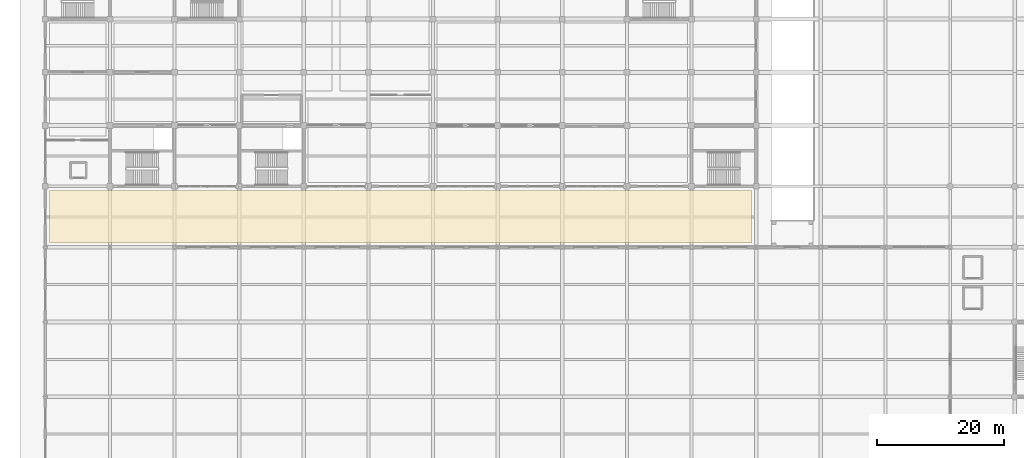
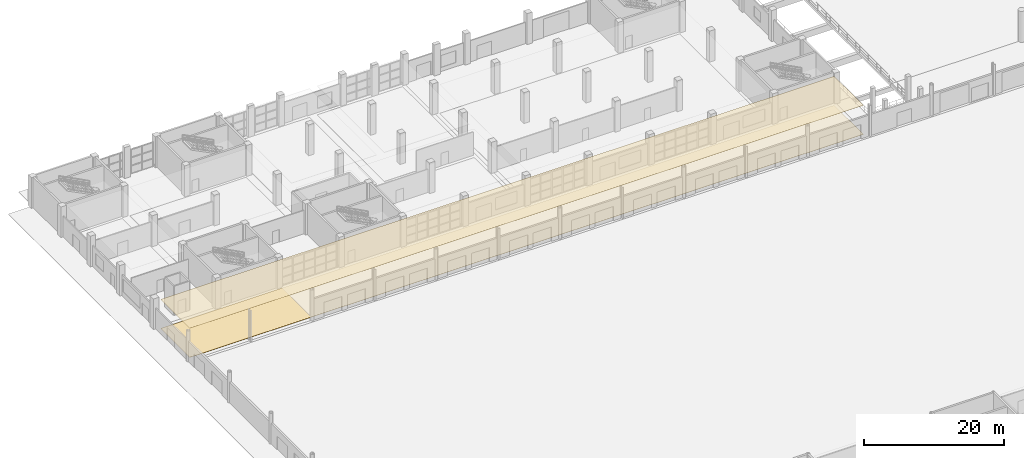
# One storey, part 113 of 124: 2 coverings.
"""IFC4 building model written with IfcOpenShell, lengths in metres."""

from ifc_helpers import new_model, si_unit, direction, frame, origin, place, context, subcontext, project, spatial, polyline, outline, extrude, material, layer, layer_set, type_object, element, save


model = new_model("IFC4")

# Units and contexts
model_context = context("Model", 3, precision=1e-05, world=origin(), true_north=direction((0.0, 1.0)))
body_context = subcontext(model_context, "Body", "Model", "MODEL_VIEW")
ifc_project = project(units=[si_unit("LENGTHUNIT", "METRE"), si_unit("AREAUNIT", "SQUARE_METRE"), si_unit("VOLUMEUNIT", "CUBIC_METRE"), si_unit("PLANEANGLEUNIT", "RADIAN"), si_unit("MASSUNIT", "GRAM", prefix="KILO")], contexts=[model_context])

# Site, building, storey
site_placement = place(None, origin())
site = spatial("IfcSite", under=ifc_project, at=site_placement, CompositionType="ELEMENT")
building_placement = place(site_placement, origin())
building = spatial("IfcBuilding", under=site, at=building_placement, Name="Brelvane Convention Centre", CompositionType="ELEMENT")
storey_placement = place(building_placement, origin())
storey = spatial("IfcBuildingStorey", under=building, at=storey_placement, Name="L00", CompositionType="ELEMENT", Elevation=0.0)

# Coverings
ifc_material_1 = material(Name="Moisture-Resistant Acoustic Gypsum Ceiling Tile Grade A")
ifc_layer_1 = layer(ifc_material_1, 0.02490234375)
ifc_layer_set_1 = layer_set([ifc_layer_1], Name="Moisture-Resistant Acoustic Gypsum Ceiling Tile Grade A")
covering_type_1 = type_object("IfcCoveringType", Name="Interior Finish CL-GYP-25", PredefinedType="CEILING", material=ifc_layer_set_1)
covering_1_placement = place(storey_placement, frame((0.0, 0.0, 5.054931640625)))
element("IfcCovering", 1, at=covering_1_placement, inside=storey, type_object=covering_type_1, Name="Pre-function Foyer Courtyard L00 Acoustic Ceiling (CL-GYP-25)", PredefinedType="CEILING", context=body_context, shape_type="SweptSolid", body=[
    extrude(outline(polyline([(0.6298828125, 100.22998046875), (111.570068359375, 100.22998046875), (111.570068359375, 108.570068359375), (0.6298828125, 108.570068359375), (0.6298828125, 100.22998046875)])), origin(), (0.0, 0.0, 1.0), 0.025146484375),
])
ifc_material_2 = material(Name="Solution-Dyed Heavy Contract Wool Carpet Class 1")
ifc_layer_2 = layer(ifc_material_2, 0.028076171875)
ifc_layer_set_2 = layer_set([ifc_layer_2], Name="Solution-Dyed Heavy Contract Wool Carpet Class 1")
covering_type_2 = type_object("IfcCoveringType", Name="Interior Finish FL-CPT-28", PredefinedType="FLOORING", material=ifc_layer_set_2)
covering_2_placement = place(storey_placement, origin())
element("IfcCovering", 2, at=covering_2_placement, inside=storey, type_object=covering_type_2, Name="Pre-function Foyer Courtyard L00 Floor Finish (FL-CPT-28)", PredefinedType="FLOORING", context=body_context, shape_type="SweptSolid", body=[
    extrude(outline(polyline([(0.6298828125, 100.22998046875), (111.570068359375, 100.22998046875), (111.570068359375, 108.570068359375), (0.6298828125, 108.570068359375), (0.6298828125, 100.22998046875)])), origin(), (0.0, 0.0, 1.0), 0.028076171875),
])

save(model, "model.ifc")
